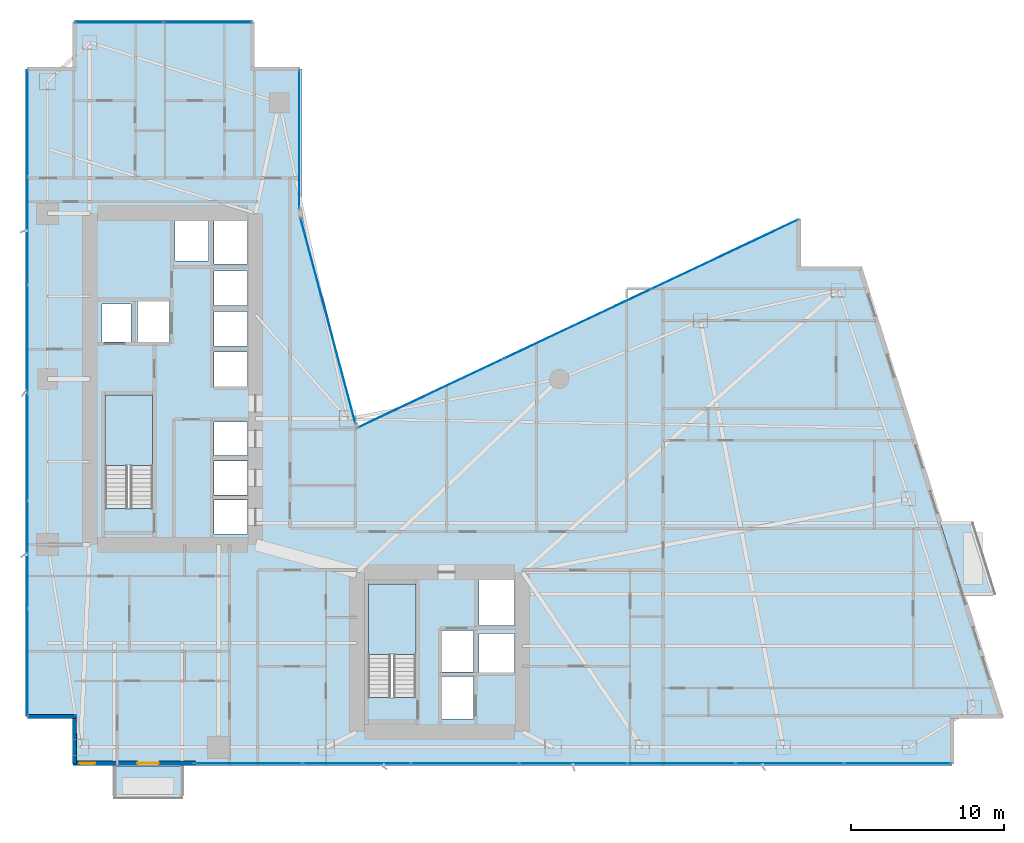
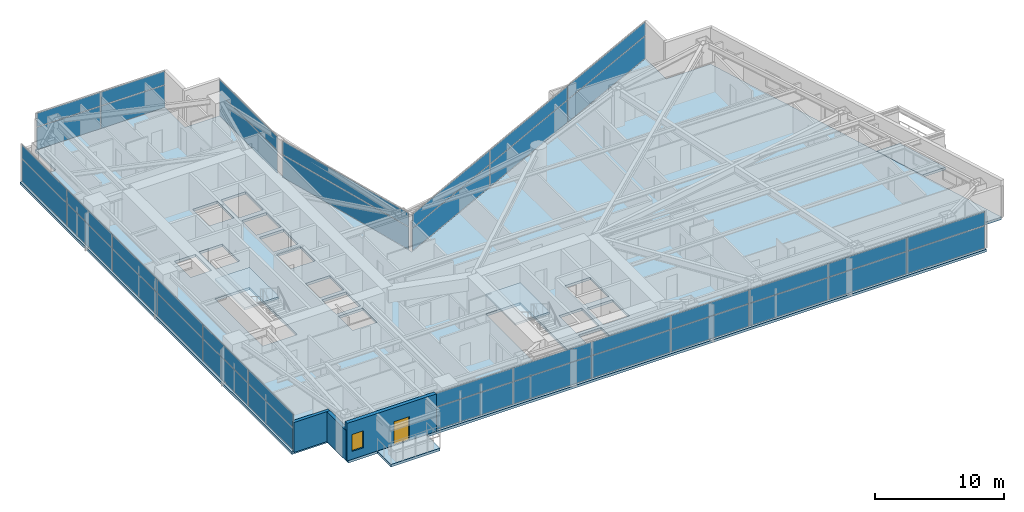
# One storey, part 21 of 29: 40 plates, 5 slabs, 3 walls, 1 door, 1 window, 2 openings, 8 elements without a shape of their own.
"""IFC4 building model written with IfcOpenShell, lengths in metres."""

from ifc_helpers import new_model, si_unit, direction, frame, frame_2d, origin, origin_2d, place, context, subcontext, project, spatial, polyline, rectangle, outline, extrude, material, layer, layer_set, type_object, element, fill, aggregate, save


model = new_model("IFC4")

# Units and contexts
model_context = context("Model", 3, precision=1e-05, world=origin(), true_north=direction((0.0, 1.0)))
body_context = subcontext(model_context, "Body", "Model", "MODEL_VIEW")
ifc_project = project(units=[si_unit("LENGTHUNIT", "METRE"), si_unit("AREAUNIT", "SQUARE_METRE"), si_unit("VOLUMEUNIT", "CUBIC_METRE"), si_unit("PLANEANGLEUNIT", "RADIAN"), si_unit("MASSUNIT", "GRAM", prefix="KILO")], contexts=[model_context])

# Site, building, storey
site_placement = place(None, origin())
site = spatial("IfcSite", under=ifc_project, at=site_placement, CompositionType="ELEMENT")
building_placement = place(site_placement, origin())
building = spatial("IfcBuilding", under=site, at=building_placement, Name="Calvorn Quay Hotel", CompositionType="ELEMENT")
storey_placement = place(building_placement, frame((0.0, 0.0, 58.39990234375)))
storey = spatial("IfcBuildingStorey", under=building, at=storey_placement, Name="L13", CompositionType="ELEMENT", Elevation=58.39990234375)

# Curtain wall, plates
ifc_material_1 = material(Name="Pale Anodised Aluminium and Low-E Glass", Category="aluminium")
ifc_layer_1 = layer(ifc_material_1, 0.219970703125)
ifc_layer_set_1 = layer_set([ifc_layer_1], Name="CW-SYS-Z1")
curtain_wall_type = type_object("IfcCurtainWallType", Name="CW-SYS-Z1", PredefinedType="NOTDEFINED", material=ifc_layer_set_1)
curtain_wall_1_placement = place(storey_placement, origin())
curtain_wall_1 = element("IfcCurtainWall", 1, at=curtain_wall_1_placement, inside=storey, type_object=curtain_wall_type, Name="Tower West Curtain Wall (L13)", PredefinedType="NOTDEFINED")
ifc_material_2 = material(Name="Low-E Laminated Double Glazing", Category="glass")
ifc_layer_2 = layer(ifc_material_2, 0.028076171875)
ifc_layer_set_2 = layer_set([ifc_layer_2], Name="CW-SYS-Z1-PAN")
plate_type = type_object("IfcPlateType", Name="CW-SYS-Z1-PAN", PredefinedType="CURTAIN_PANEL", material=ifc_layer_set_2)
plate_1_placement = place(storey_placement, frame((0.14990234375, 9.131591796875, 0.06005859375), z_axis=(0.0, 0.0, 1.0), x_axis=(0.0, 1.0, 0.0)))
plate_1 = element("IfcPlate", 2, at=plate_1_placement, type_object=plate_type, Name="CW-L13-W panel 1.1", PredefinedType="CURTAIN_PANEL", context=body_context, shape_type="SweptSolid", body=[
    extrude(rectangle(XDim=6.943359375, YDim=0.028076171875, at=origin_2d()), origin(), (0.0, 0.0, 1.0), 2.110107421875),
])
plate_2_placement = place(storey_placement, frame((0.14990234375, 9.131591796875, 2.22998046875), z_axis=(0.0, 0.0, 1.0), x_axis=(0.0, 1.0, 0.0)))
plate_2 = element("IfcPlate", 3, at=plate_2_placement, type_object=plate_type, Name="CW-L13-W panel 1.2", PredefinedType="CURTAIN_PANEL", context=body_context, shape_type="SweptSolid", body=[
    extrude(rectangle(XDim=6.943359375, YDim=0.028076171875, at=origin_2d()), origin(), (0.0, 0.0, 1.0), 1.27001953125),
])
plate_3_placement = place(storey_placement, frame((0.14990234375, 16.14990234375, 0.06005859375), z_axis=(0.0, 0.0, 1.0), x_axis=(0.0, 1.0, 0.0)))
plate_3 = element("IfcPlate", 4, at=plate_3_placement, type_object=plate_type, Name="CW-L13-W panel 2.1", PredefinedType="CURTAIN_PANEL", context=body_context, shape_type="SweptSolid", body=[
    extrude(rectangle(XDim=6.973388671875, YDim=0.028076171875, at=origin_2d()), origin(), (0.0, 0.0, 1.0), 2.110107421875),
])
plate_4_placement = place(storey_placement, frame((0.14990234375, 16.14990234375, 2.22998046875), z_axis=(0.0, 0.0, 1.0), x_axis=(0.0, 1.0, 0.0)))
plate_4 = element("IfcPlate", 5, at=plate_4_placement, type_object=plate_type, Name="CW-L13-W panel 2.2", PredefinedType="CURTAIN_PANEL", context=body_context, shape_type="SweptSolid", body=[
    extrude(rectangle(XDim=6.973388671875, YDim=0.028076171875, at=origin_2d()), origin(), (0.0, 0.0, 1.0), 1.27001953125),
])
plate_5_placement = place(storey_placement, frame((0.14990234375, 23.183349609375, 0.06005859375), z_axis=(0.0, 0.0, 1.0), x_axis=(0.0, 1.0, 0.0)))
plate_5 = element("IfcPlate", 6, at=plate_5_placement, type_object=plate_type, Name="CW-L13-W panel 3.1", PredefinedType="CURTAIN_PANEL", context=body_context, shape_type="SweptSolid", body=[
    extrude(rectangle(XDim=6.973388671875, YDim=0.028076171875, at=origin_2d()), origin(), (0.0, 0.0, 1.0), 2.110107421875),
])
plate_6_placement = place(storey_placement, frame((0.14990234375, 23.183349609375, 2.22998046875), z_axis=(0.0, 0.0, 1.0), x_axis=(0.0, 1.0, 0.0)))
plate_6 = element("IfcPlate", 7, at=plate_6_placement, type_object=plate_type, Name="CW-L13-W panel 3.2", PredefinedType="CURTAIN_PANEL", context=body_context, shape_type="SweptSolid", body=[
    extrude(rectangle(XDim=6.973388671875, YDim=0.028076171875, at=origin_2d()), origin(), (0.0, 0.0, 1.0), 1.27001953125),
])
plate_7_placement = place(storey_placement, frame((0.14990234375, 30.216552734375, 0.06005859375), z_axis=(0.0, 0.0, 1.0), x_axis=(0.0, 1.0, 0.0)))
plate_7 = element("IfcPlate", 8, at=plate_7_placement, type_object=plate_type, Name="CW-L13-W panel 4.1", PredefinedType="CURTAIN_PANEL", context=body_context, shape_type="SweptSolid", body=[
    extrude(rectangle(XDim=6.973388671875, YDim=0.028076171875, at=origin_2d()), origin(), (0.0, 0.0, 1.0), 2.110107421875),
])
plate_8_placement = place(storey_placement, frame((0.14990234375, 30.216552734375, 2.22998046875), z_axis=(0.0, 0.0, 1.0), x_axis=(0.0, 1.0, 0.0)))
plate_8 = element("IfcPlate", 9, at=plate_8_placement, type_object=plate_type, Name="CW-L13-W panel 4.2", PredefinedType="CURTAIN_PANEL", context=body_context, shape_type="SweptSolid", body=[
    extrude(rectangle(XDim=6.973388671875, YDim=0.028076171875, at=origin_2d()), origin(), (0.0, 0.0, 1.0), 1.27001953125),
])
plate_9_placement = place(storey_placement, frame((0.14990234375, 37.25, 0.06005859375), z_axis=(0.0, 0.0, 1.0), x_axis=(0.0, 1.0, 0.0)))
plate_9 = element("IfcPlate", 10, at=plate_9_placement, type_object=plate_type, Name="CW-L13-W panel 5.1", PredefinedType="CURTAIN_PANEL", context=body_context, shape_type="SweptSolid", body=[
    extrude(rectangle(XDim=6.973388671875, YDim=0.028076171875, at=origin_2d()), origin(), (0.0, 0.0, 1.0), 2.110107421875),
])
plate_10_placement = place(storey_placement, frame((0.14990234375, 37.25, 2.22998046875), z_axis=(0.0, 0.0, 1.0), x_axis=(0.0, 1.0, 0.0)))
plate_10 = element("IfcPlate", 11, at=plate_10_placement, type_object=plate_type, Name="CW-L13-W panel 5.2", PredefinedType="CURTAIN_PANEL", context=body_context, shape_type="SweptSolid", body=[
    extrude(rectangle(XDim=6.973388671875, YDim=0.028076171875, at=origin_2d()), origin(), (0.0, 0.0, 1.0), 1.27001953125),
])
plate_11_placement = place(storey_placement, frame((0.14990234375, 44.268310546875, 0.06005859375), z_axis=(0.0, 0.0, 1.0), x_axis=(0.0, 1.0, 0.0)))
plate_11 = element("IfcPlate", 12, at=plate_11_placement, type_object=plate_type, Name="CW-L13-W panel 6.1", PredefinedType="CURTAIN_PANEL", context=body_context, shape_type="SweptSolid", body=[
    extrude(rectangle(XDim=6.943359375, YDim=0.028076171875, at=origin_2d()), origin(), (0.0, 0.0, 1.0), 2.110107421875),
])
plate_12_placement = place(storey_placement, frame((0.14990234375, 44.268310546875, 2.22998046875), z_axis=(0.0, 0.0, 1.0), x_axis=(0.0, 1.0, 0.0)))
plate_12 = element("IfcPlate", 13, at=plate_12_placement, type_object=plate_type, Name="CW-L13-W panel 6.2", PredefinedType="CURTAIN_PANEL", context=body_context, shape_type="SweptSolid", body=[
    extrude(rectangle(XDim=6.943359375, YDim=0.028076171875, at=origin_2d()), origin(), (0.0, 0.0, 1.0), 1.27001953125),
])
aggregate(curtain_wall_1, [plate_1, plate_2, plate_3, plate_4, plate_5, plate_6, plate_7, plate_8, plate_9, plate_10, plate_11, plate_12])

curtain_wall_2_placement = place(storey_placement, origin())
curtain_wall_2 = element("IfcCurtainWall", 14, at=curtain_wall_2_placement, inside=storey, type_object=curtain_wall_type, Name="Tower South Waterfront Curtain Wall (L13)", PredefinedType="NOTDEFINED")
plate_13_placement = place(storey_placement, frame((14.54345703125, 2.550048828125, 0.06005859375), z_axis=(0.0, 0.0, 1.0), x_axis=(1.0, 0.0, 0.0)))
plate_13 = element("IfcPlate", 15, at=plate_13_placement, type_object=plate_type, Name="CW-L13-S panel 1.1", PredefinedType="CURTAIN_PANEL", context=body_context, shape_type="SweptSolid", body=[
    extrude(rectangle(XDim=6.967041015625, YDim=0.028076171875, at=origin_2d()), origin(), (0.0, 0.0, 1.0), 2.110107421875),
])
plate_14_placement = place(storey_placement, frame((14.54345703125, 2.550048828125, 2.22998046875), z_axis=(0.0, 0.0, 1.0), x_axis=(1.0, 0.0, 0.0)))
plate_14 = element("IfcPlate", 16, at=plate_14_placement, type_object=plate_type, Name="CW-L13-S panel 1.2", PredefinedType="CURTAIN_PANEL", context=body_context, shape_type="SweptSolid", body=[
    extrude(rectangle(XDim=6.967041015625, YDim=0.028076171875, at=origin_2d()), origin(), (0.0, 0.0, 1.0), 1.27001953125),
])
plate_15_placement = place(storey_placement, frame((21.585693359375, 2.550048828125, 0.06005859375), z_axis=(0.0, 0.0, 1.0), x_axis=(1.0, 0.0, 0.0)))
plate_15 = element("IfcPlate", 17, at=plate_15_placement, type_object=plate_type, Name="CW-L13-S panel 2.1", PredefinedType="CURTAIN_PANEL", context=body_context, shape_type="SweptSolid", body=[
    extrude(rectangle(XDim=6.9970703125, YDim=0.028076171875, at=origin_2d()), origin(), (0.0, 0.0, 1.0), 2.110107421875),
])
plate_16_placement = place(storey_placement, frame((21.585693359375, 2.550048828125, 2.22998046875), z_axis=(0.0, 0.0, 1.0), x_axis=(1.0, 0.0, 0.0)))
plate_16 = element("IfcPlate", 18, at=plate_16_placement, type_object=plate_type, Name="CW-L13-S panel 2.2", PredefinedType="CURTAIN_PANEL", context=body_context, shape_type="SweptSolid", body=[
    extrude(rectangle(XDim=6.9970703125, YDim=0.028076171875, at=origin_2d()), origin(), (0.0, 0.0, 1.0), 1.27001953125),
])
plate_17_placement = place(storey_placement, frame((28.642822265625, 2.550048828125, 0.06005859375), z_axis=(0.0, 0.0, 1.0), x_axis=(1.0, 0.0, 0.0)))
plate_17 = element("IfcPlate", 19, at=plate_17_placement, type_object=plate_type, Name="CW-L13-S panel 3.1", PredefinedType="CURTAIN_PANEL", context=body_context, shape_type="SweptSolid", body=[
    extrude(rectangle(XDim=6.9970703125, YDim=0.028076171875, at=origin_2d()), origin(), (0.0, 0.0, 1.0), 2.110107421875),
])
plate_18_placement = place(storey_placement, frame((28.642822265625, 2.550048828125, 2.22998046875), z_axis=(0.0, 0.0, 1.0), x_axis=(1.0, 0.0, 0.0)))
plate_18 = element("IfcPlate", 20, at=plate_18_placement, type_object=plate_type, Name="CW-L13-S panel 3.2", PredefinedType="CURTAIN_PANEL", context=body_context, shape_type="SweptSolid", body=[
    extrude(rectangle(XDim=6.9970703125, YDim=0.028076171875, at=origin_2d()), origin(), (0.0, 0.0, 1.0), 1.27001953125),
])
plate_19_placement = place(storey_placement, frame((35.699951171875, 2.550048828125, 0.06005859375), z_axis=(0.0, 0.0, 1.0), x_axis=(1.0, 0.0, 0.0)))
plate_19 = element("IfcPlate", 21, at=plate_19_placement, type_object=plate_type, Name="CW-L13-S panel 4.1", PredefinedType="CURTAIN_PANEL", context=body_context, shape_type="SweptSolid", body=[
    extrude(rectangle(XDim=6.9970703125, YDim=0.028076171875, at=origin_2d()), origin(), (0.0, 0.0, 1.0), 2.110107421875),
])
plate_20_placement = place(storey_placement, frame((35.699951171875, 2.550048828125, 2.22998046875), z_axis=(0.0, 0.0, 1.0), x_axis=(1.0, 0.0, 0.0)))
plate_20 = element("IfcPlate", 22, at=plate_20_placement, type_object=plate_type, Name="CW-L13-S panel 4.2", PredefinedType="CURTAIN_PANEL", context=body_context, shape_type="SweptSolid", body=[
    extrude(rectangle(XDim=6.9970703125, YDim=0.028076171875, at=origin_2d()), origin(), (0.0, 0.0, 1.0), 1.27001953125),
])
plate_21_placement = place(storey_placement, frame((42.757080078125, 2.550048828125, 0.06005859375), z_axis=(0.0, 0.0, 1.0), x_axis=(1.0, 0.0, 0.0)))
plate_21 = element("IfcPlate", 23, at=plate_21_placement, type_object=plate_type, Name="CW-L13-S panel 5.1", PredefinedType="CURTAIN_PANEL", context=body_context, shape_type="SweptSolid", body=[
    extrude(rectangle(XDim=6.9970703125, YDim=0.028076171875, at=origin_2d()), origin(), (0.0, 0.0, 1.0), 2.110107421875),
])
plate_22_placement = place(storey_placement, frame((42.757080078125, 2.550048828125, 2.22998046875), z_axis=(0.0, 0.0, 1.0), x_axis=(1.0, 0.0, 0.0)))
plate_22 = element("IfcPlate", 24, at=plate_22_placement, type_object=plate_type, Name="CW-L13-S panel 5.2", PredefinedType="CURTAIN_PANEL", context=body_context, shape_type="SweptSolid", body=[
    extrude(rectangle(XDim=6.9970703125, YDim=0.028076171875, at=origin_2d()), origin(), (0.0, 0.0, 1.0), 1.27001953125),
])
plate_23_placement = place(storey_placement, frame((49.814208984375, 2.550048828125, 0.06005859375), z_axis=(0.0, 0.0, 1.0), x_axis=(1.0, 0.0, 0.0)))
plate_23 = element("IfcPlate", 25, at=plate_23_placement, type_object=plate_type, Name="CW-L13-S panel 6.1", PredefinedType="CURTAIN_PANEL", context=body_context, shape_type="SweptSolid", body=[
    extrude(rectangle(XDim=6.9970703125, YDim=0.028076171875, at=origin_2d()), origin(), (0.0, 0.0, 1.0), 2.110107421875),
])
plate_24_placement = place(storey_placement, frame((49.814208984375, 2.550048828125, 2.22998046875), z_axis=(0.0, 0.0, 1.0), x_axis=(1.0, 0.0, 0.0)))
plate_24 = element("IfcPlate", 26, at=plate_24_placement, type_object=plate_type, Name="CW-L13-S panel 6.2", PredefinedType="CURTAIN_PANEL", context=body_context, shape_type="SweptSolid", body=[
    extrude(rectangle(XDim=6.9970703125, YDim=0.028076171875, at=origin_2d()), origin(), (0.0, 0.0, 1.0), 1.27001953125),
])
plate_25_placement = place(storey_placement, frame((56.8564453125, 2.550048828125, 0.06005859375), z_axis=(0.0, 0.0, 1.0), x_axis=(1.0, 0.0, 0.0)))
plate_25 = element("IfcPlate", 27, at=plate_25_placement, type_object=plate_type, Name="CW-L13-S panel 7.1", PredefinedType="CURTAIN_PANEL", context=body_context, shape_type="SweptSolid", body=[
    extrude(rectangle(XDim=6.967041015625, YDim=0.028076171875, at=origin_2d()), origin(), (0.0, 0.0, 1.0), 2.110107421875),
])
plate_26_placement = place(storey_placement, frame((56.8564453125, 2.550048828125, 2.22998046875), z_axis=(0.0, 0.0, 1.0), x_axis=(1.0, 0.0, 0.0)))
plate_26 = element("IfcPlate", 28, at=plate_26_placement, type_object=plate_type, Name="CW-L13-S panel 7.2", PredefinedType="CURTAIN_PANEL", context=body_context, shape_type="SweptSolid", body=[
    extrude(rectangle(XDim=6.967041015625, YDim=0.028076171875, at=origin_2d()), origin(), (0.0, 0.0, 1.0), 1.27001953125),
])
aggregate(curtain_wall_2, [plate_13, plate_14, plate_15, plate_16, plate_17, plate_18, plate_19, plate_20, plate_21, plate_22, plate_23, plate_24, plate_25, plate_26])

curtain_wall_3_placement = place(storey_placement, origin())
curtain_wall_3 = element("IfcCurtainWall", 29, at=curtain_wall_3_placement, inside=storey, type_object=curtain_wall_type, Name="Inner Court Curtain Wall L13-NE1", PredefinedType="NOTDEFINED")
plate_27_placement = place(storey_placement, frame((45.58642578125, 35.726806640625, 0.06005859375), z_axis=(0.0, 0.0, 1.0), x_axis=(-0.904248646743, -0.427006305415, 0.0)))
plate_27 = element("IfcPlate", 30, at=plate_27_placement, type_object=plate_type, Name="CW-L13-NE1 panel 1.1", PredefinedType="CURTAIN_PANEL", context=body_context, shape_type="SweptSolid", body=[
    extrude(rectangle(XDim=10.526611328125, YDim=0.028076171875, at=origin_2d()), origin(), (0.0, 0.0, 1.0), 2.110107421875),
])
plate_28_placement = place(storey_placement, frame((45.58642578125, 35.726806640625, 2.22998046875), z_axis=(0.0, 0.0, 1.0), x_axis=(-0.904248646743, -0.427006305415, 0.0)))
plate_28 = element("IfcPlate", 31, at=plate_28_placement, type_object=plate_type, Name="CW-L13-NE1 panel 1.2", PredefinedType="CURTAIN_PANEL", context=body_context, shape_type="SweptSolid", body=[
    extrude(rectangle(XDim=10.526611328125, YDim=0.028076171875, at=origin_2d()), origin(), (0.0, 0.0, 1.0), 1.27001953125),
])
plate_29_placement = place(storey_placement, frame((36.0, 31.199951171875, 0.06005859375), z_axis=(0.0, 0.0, 1.0), x_axis=(-0.904248646743, -0.427006305415, 0.0)))
plate_29 = element("IfcPlate", 32, at=plate_29_placement, type_object=plate_type, Name="CW-L13-NE1 panel 2.1", PredefinedType="CURTAIN_PANEL", context=body_context, shape_type="SweptSolid", body=[
    extrude(rectangle(XDim=10.556640625, YDim=0.028076171875, at=origin_2d()), origin(), (0.0, 0.0, 1.0), 2.110107421875),
])
plate_30_placement = place(storey_placement, frame((36.0, 31.199951171875, 2.22998046875), z_axis=(0.0, 0.0, 1.0), x_axis=(-0.904248646743, -0.427006305415, 0.0)))
plate_30 = element("IfcPlate", 33, at=plate_30_placement, type_object=plate_type, Name="CW-L13-NE1 panel 2.2", PredefinedType="CURTAIN_PANEL", context=body_context, shape_type="SweptSolid", body=[
    extrude(rectangle(XDim=10.556640625, YDim=0.028076171875, at=origin_2d()), origin(), (0.0, 0.0, 1.0), 1.27001953125),
])
plate_31_placement = place(storey_placement, frame((26.41357421875, 26.673095703125, 0.06005859375), z_axis=(0.0, 0.0, 1.0), x_axis=(-0.904248646743, -0.427006305415, 0.0)))
plate_31 = element("IfcPlate", 34, at=plate_31_placement, type_object=plate_type, Name="CW-L13-NE1 panel 3.1", PredefinedType="CURTAIN_PANEL", context=body_context, shape_type="SweptSolid", body=[
    extrude(rectangle(XDim=10.526611328125, YDim=0.028076171875, at=origin_2d()), origin(), (0.0, 0.0, 1.0), 2.110107421875),
])
plate_32_placement = place(storey_placement, frame((26.41357421875, 26.673095703125, 2.22998046875), z_axis=(0.0, 0.0, 1.0), x_axis=(-0.904248646743, -0.427006305415, 0.0)))
plate_32 = element("IfcPlate", 35, at=plate_32_placement, type_object=plate_type, Name="CW-L13-NE1 panel 3.2", PredefinedType="CURTAIN_PANEL", context=body_context, shape_type="SweptSolid", body=[
    extrude(rectangle(XDim=10.526611328125, YDim=0.028076171875, at=origin_2d()), origin(), (0.0, 0.0, 1.0), 1.27001953125),
])
aggregate(curtain_wall_3, [plate_27, plate_28, plate_29, plate_30, plate_31, plate_32])

curtain_wall_4_placement = place(storey_placement, origin())
curtain_wall_4 = element("IfcCurtainWall", 36, at=curtain_wall_4_placement, inside=storey, type_object=curtain_wall_type, Name="Inner Court Curtain Wall L13-IC1", PredefinedType="NOTDEFINED")
plate_33_placement = place(storey_placement, frame((19.72509765625, 31.39990234375, 0.06005859375), z_axis=(0.0, 0.0, 1.0), x_axis=(-0.25877913024, 0.96593652056, 0.0)))
plate_33 = element("IfcPlate", 37, at=plate_33_placement, type_object=plate_type, Name="CW-L13-IC1 panel 1.1", PredefinedType="CURTAIN_PANEL", context=body_context, shape_type="SweptSolid", body=[
    extrude(rectangle(XDim=13.814697265625, YDim=0.028076171875, at=origin_2d()), origin(), (0.0, 0.0, 1.0), 2.110107421875),
])
plate_34_placement = place(storey_placement, frame((19.72509765625, 31.39990234375, 2.22998046875), z_axis=(0.0, 0.0, 1.0), x_axis=(-0.25877913024, 0.96593652056, 0.0)))
plate_34 = element("IfcPlate", 38, at=plate_34_placement, type_object=plate_type, Name="CW-L13-IC1 panel 1.2", PredefinedType="CURTAIN_PANEL", context=body_context, shape_type="SweptSolid", body=[
    extrude(rectangle(XDim=13.814697265625, YDim=0.028076171875, at=origin_2d()), origin(), (0.0, 0.0, 1.0), 1.27001953125),
])
aggregate(curtain_wall_4, [plate_33, plate_34])

curtain_wall_5_placement = place(storey_placement, origin())
curtain_wall_5 = element("IfcCurtainWall", 39, at=curtain_wall_5_placement, inside=storey, type_object=curtain_wall_type, Name="Inner Court Curtain Wall L13-IC2", PredefinedType="NOTDEFINED")
plate_35_placement = place(storey_placement, frame((17.85009765625, 43.239990234375, 0.06005859375), z_axis=(0.0, 0.0, 1.0), x_axis=(0.0, 1.0, 0.0)))
plate_35 = element("IfcPlate", 40, at=plate_35_placement, type_object=plate_type, Name="CW-L13-IC2 panel 1.1", PredefinedType="CURTAIN_PANEL", context=body_context, shape_type="SweptSolid", body=[
    extrude(rectangle(XDim=9.0, YDim=0.028076171875, at=origin_2d()), origin(), (0.0, 0.0, 1.0), 2.110107421875),
])
plate_36_placement = place(storey_placement, frame((17.85009765625, 43.239990234375, 2.22998046875), z_axis=(0.0, 0.0, 1.0), x_axis=(0.0, 1.0, 0.0)))
plate_36 = element("IfcPlate", 41, at=plate_36_placement, type_object=plate_type, Name="CW-L13-IC2 panel 1.2", PredefinedType="CURTAIN_PANEL", context=body_context, shape_type="SweptSolid", body=[
    extrude(rectangle(XDim=9.0, YDim=0.028076171875, at=origin_2d()), origin(), (0.0, 0.0, 1.0), 1.27001953125),
])
aggregate(curtain_wall_5, [plate_35, plate_36])

curtain_wall_6_placement = place(storey_placement, origin())
curtain_wall_6 = element("IfcCurtainWall", 42, at=curtain_wall_6_placement, inside=storey, type_object=curtain_wall_type, Name="Inner Court Curtain Wall L13-N1", PredefinedType="NOTDEFINED")
plate_37_placement = place(storey_placement, frame((11.885009765625, 50.85009765625, 0.06005859375), z_axis=(0.0, 0.0, 1.0), x_axis=(-1.0, 0.0, 0.0)))
plate_37 = element("IfcPlate", 43, at=plate_37_placement, type_object=plate_type, Name="CW-L13-N1 panel 1.1", PredefinedType="CURTAIN_PANEL", context=body_context, shape_type="SweptSolid", body=[
    extrude(rectangle(XDim=5.7099609375, YDim=0.028076171875, at=origin_2d()), origin(), (0.0, 0.0, 1.0), 2.110107421875),
])
plate_38_placement = place(storey_placement, frame((11.885009765625, 50.85009765625, 2.22998046875), z_axis=(0.0, 0.0, 1.0), x_axis=(-1.0, 0.0, 0.0)))
plate_38 = element("IfcPlate", 44, at=plate_38_placement, type_object=plate_type, Name="CW-L13-N1 panel 1.2", PredefinedType="CURTAIN_PANEL", context=body_context, shape_type="SweptSolid", body=[
    extrude(rectangle(XDim=5.7099609375, YDim=0.028076171875, at=origin_2d()), origin(), (0.0, 0.0, 1.0), 1.27001953125),
])
plate_39_placement = place(storey_placement, frame((6.114990234375, 50.85009765625, 0.06005859375), z_axis=(0.0, 0.0, 1.0), x_axis=(-1.0, 0.0, 0.0)))
plate_39 = element("IfcPlate", 45, at=plate_39_placement, type_object=plate_type, Name="CW-L13-N1 panel 2.1", PredefinedType="CURTAIN_PANEL", context=body_context, shape_type="SweptSolid", body=[
    extrude(rectangle(XDim=5.7099609375, YDim=0.028076171875, at=origin_2d()), origin(), (0.0, 0.0, 1.0), 2.110107421875),
])
plate_40_placement = place(storey_placement, frame((6.114990234375, 50.85009765625, 2.22998046875), z_axis=(0.0, 0.0, 1.0), x_axis=(-1.0, 0.0, 0.0)))
plate_40 = element("IfcPlate", 46, at=plate_40_placement, type_object=plate_type, Name="CW-L13-N1 panel 2.2", PredefinedType="CURTAIN_PANEL", context=body_context, shape_type="SweptSolid", body=[
    extrude(rectangle(XDim=5.7099609375, YDim=0.028076171875, at=origin_2d()), origin(), (0.0, 0.0, 1.0), 1.27001953125),
])
aggregate(curtain_wall_6, [plate_37, plate_38, plate_39, plate_40])

# Slabs
ifc_material_3 = material(Name="Concrete C40", Category="concrete")
ifc_layer_3 = layer(ifc_material_3, 0.239990234375)
ifc_layer_set_3 = layer_set([ifc_layer_3], Name="SLB-BALCONY-220")
slab_type_1 = type_object("IfcSlabType", Name="SLB-BALCONY-220", PredefinedType="FLOOR", material=ifc_layer_set_3)
slab_1_placement = place(storey_placement, frame((0.0, 0.0, -0.239990234375)))
element("IfcSlab", 47, at=slab_1_placement, inside=storey, type_object=slab_type_1, Name="Tree Balcony Slab L13-BALC-E", PredefinedType="FLOOR", context=body_context, shape_type="SweptSolid", body=[
    extrude(outline(polyline([(61.089111328125, 13.60009765625), (63.18896484375, 13.60009765625), (61.739990234375, 18.199951171875), (59.639892578125, 18.199951171875), (61.089111328125, 13.60009765625)])), origin(), (0.0, 0.0, 1.0), 0.239990234375),
])
slab_2_placement = place(storey_placement, frame((0.0, 0.0, -0.239990234375)))
element("IfcSlab", 48, at=slab_2_placement, inside=storey, type_object=slab_type_1, Name="Tree Balcony Slab L13-BALC-S", PredefinedType="FLOOR", context=body_context, shape_type="SweptSolid", body=[
    extrude(outline(polyline([(5.800048828125, 0.2900390625), (10.199951171875, 0.2900390625), (10.199951171875, 2.389892578125), (5.800048828125, 2.389892578125), (5.800048828125, 0.2900390625)])), origin(), (0.0, 0.0, 1.0), 0.239990234375),
])

# Stair, slab
ifc_material_4 = material(Name="Concrete C40", Category="concrete")
stair_type = type_object("IfcStairType", Name="STR-CORE-DOGLEG", PredefinedType="HALF_TURN_STAIR", material=ifc_material_4)
stair_1_placement = place(storey_placement, origin())
stair_1 = element("IfcStair", 49, at=stair_1_placement, inside=storey, type_object=stair_type, Name="L13 ST-W", PredefinedType="HALF_TURN_STAIR")
ifc_material_5 = material(Name="Concrete C40", Category="concrete")
ifc_layer_4 = layer(ifc_material_5, 0.199951171875)
ifc_layer_set_4 = layer_set([ifc_layer_4], Name="SLB-STAIR-LANDING-200")
slab_type_2 = type_object("IfcSlabType", Name="SLB-STAIR-LANDING-200", PredefinedType="LANDING", material=ifc_layer_set_4)
slab_3_placement = place(storey_placement, frame((0.0, 0.0, 1.7001953125)))
slab_3 = element("IfcSlab", 50, at=slab_3_placement, type_object=slab_type_2, Name="ST-W landing 1", PredefinedType="LANDING", context=body_context, shape_type="SweptSolid", body=[
    extrude(outline(polyline([(8.300048828125, 21.949951171875), (8.300048828125, 26.550048828125), (5.199951171875, 26.550048828125), (5.199951171875, 21.949951171875), (8.300048828125, 21.949951171875)])), origin(), (0.0, 0.0, 1.0), 0.199951171875),
])
aggregate(stair_1, [slab_3])

stair_2_placement = place(storey_placement, origin())
stair_2 = element("IfcStair", 51, at=stair_2_placement, inside=storey, type_object=stair_type, Name="L13 ST-E", PredefinedType="HALF_TURN_STAIR")
slab_4_placement = place(storey_placement, frame((0.0, 0.0, 1.7001953125)))
slab_4 = element("IfcSlab", 52, at=slab_4_placement, type_object=slab_type_2, Name="ST-E landing 1", PredefinedType="LANDING", context=body_context, shape_type="SweptSolid", body=[
    extrude(outline(polyline([(25.449951171875, 9.64990234375), (25.449951171875, 14.25), (22.35009765625, 14.25), (22.35009765625, 9.64990234375), (25.449951171875, 9.64990234375)])), origin(), (0.0, 0.0, 1.0), 0.199951171875),
])
aggregate(stair_2, [slab_4])

# Slab
ifc_material_6 = material(Name="Concrete C40", Category="concrete")
ifc_layer_5 = layer(ifc_material_6, 0.239990234375)
ifc_layer_set_5 = layer_set([ifc_layer_5], Name="SLB-TOWER-240")
slab_type_3 = type_object("IfcSlabType", Name="SLB-TOWER-240", PredefinedType="FLOOR", material=ifc_layer_set_5)
slab_5_placement = place(storey_placement, frame((0.0, 0.0, -0.239990234375)))
element("IfcSlab", 53, at=slab_5_placement, inside=storey, type_object=slab_type_3, Name="L13 Structural Floor Slab", PredefinedType="FLOOR", context=body_context, shape_type="SweptSolid", body=[
    extrude(outline(polyline([(0.0, 5.60009765625), (3.199951171875, 5.60009765625), (3.199951171875, 2.39990234375), (60.39990234375, 2.39990234375), (60.39990234375, 5.60009765625), (63.60009765625, 5.60009765625), (54.39990234375, 34.800048828125), (50.39990234375, 34.800048828125), (50.39990234375, 38.0), (21.60009765625, 24.39990234375), (18.0, 38.39990234375), (18.0, 47.800048828125), (14.800048828125, 47.800048828125), (14.800048828125, 51.0), (3.199951171875, 51.0), (3.199951171875, 47.800048828125), (0.0, 47.800048828125), (0.0, 5.60009765625)]), holes=[polyline([(5.199951171875, 19.156005859375), (8.300048828125, 19.156005859375), (8.300048828125, 26.550048828125), (5.199951171875, 26.550048828125), (5.199951171875, 19.156005859375)]), polyline([(22.35009765625, 6.85595703125), (25.449951171875, 6.85595703125), (25.449951171875, 14.25), (22.35009765625, 14.25), (22.35009765625, 6.85595703125)]), polyline([(5.0, 30.0), (6.89990234375, 30.0), (6.89990234375, 32.5), (5.0, 32.5), (5.0, 30.0)]), polyline([(7.300048828125, 30.0), (9.39990234375, 30.0), (9.39990234375, 32.64990234375), (7.300048828125, 32.64990234375), (7.300048828125, 30.0)]), polyline([(27.159912109375, 8.5), (29.2099609375, 8.5), (29.2099609375, 11.199951171875), (27.159912109375, 11.199951171875), (27.159912109375, 8.5)]), polyline([(27.159912109375, 5.449951171875), (29.2099609375, 5.449951171875), (29.2099609375, 8.199951171875), (27.159912109375, 8.199951171875), (27.159912109375, 5.449951171875)]), polyline([(12.300048828125, 17.5), (14.489990234375, 17.5), (14.489990234375, 19.699951171875), (12.300048828125, 19.699951171875), (12.300048828125, 17.5)]), polyline([(12.300048828125, 20.050048828125), (14.489990234375, 20.050048828125), (14.489990234375, 22.25), (12.300048828125, 22.25), (12.300048828125, 20.050048828125)]), polyline([(12.300048828125, 22.60009765625), (14.489990234375, 22.60009765625), (14.489990234375, 24.800048828125), (12.300048828125, 24.800048828125), (12.300048828125, 22.60009765625)]), polyline([(12.300048828125, 27.10009765625), (14.489990234375, 27.10009765625), (14.489990234375, 29.35009765625), (12.300048828125, 29.35009765625), (12.300048828125, 27.10009765625)]), polyline([(12.300048828125, 29.75), (14.489990234375, 29.75), (14.489990234375, 32.0), (12.300048828125, 32.0), (12.300048828125, 29.75)]), polyline([(12.300048828125, 32.39990234375), (14.489990234375, 32.39990234375), (14.489990234375, 34.64990234375), (12.300048828125, 34.64990234375), (12.300048828125, 32.39990234375)]), polyline([(12.300048828125, 35.10009765625), (14.489990234375, 35.10009765625), (14.489990234375, 37.889892578125), (12.300048828125, 37.889892578125), (12.300048828125, 35.10009765625)]), polyline([(9.75, 35.300048828125), (11.949951171875, 35.300048828125), (11.949951171875, 37.889892578125), (9.75, 37.889892578125), (9.75, 35.300048828125)]), polyline([(29.550048828125, 11.550048828125), (31.889892578125, 11.550048828125), (31.889892578125, 14.489990234375), (29.550048828125, 14.489990234375), (29.550048828125, 11.550048828125)]), polyline([(29.550048828125, 8.449951171875), (31.889892578125, 8.449951171875), (31.889892578125, 11.0), (29.550048828125, 11.0), (29.550048828125, 8.449951171875)])]), origin(), (0.0, 0.0, 1.0), 0.239990234375),
])

# Wall, openings, door, window
ifc_material_7 = material(Name="Concrete C40", Category="concrete")
ifc_layer_6 = layer(ifc_material_7, 0.320068359375)
ifc_layer_set_6 = layer_set([ifc_layer_6], Name="WL-EXT-SPANDREL-320")
wall_type = type_object("IfcWallType", Name="WL-EXT-SPANDREL-320", PredefinedType="SOLIDWALL", material=ifc_layer_set_6)
wall_1_placement = place(storey_placement, frame((3.10009765625, 2.56005859375, 0.0), z_axis=(0.0, 0.0, 1.0), x_axis=(1.0, 0.0, 0.0)))
wall_1 = element("IfcWall", 54, at=wall_1_placement, inside=storey, type_object=wall_type, Name="South Balcony Exterior Wall (L13)", PredefinedType="SOLIDWALL", context=body_context, shape_type="SweptSolid", body=[
    extrude(rectangle(XDim=8.0, YDim=0.320068359375, at=frame_2d((4.0, 0.0))), origin(), (0.0, 0.0, 1.0), 3.56005859375),
])
opening_1_placement = place(wall_1_placement, frame((0.449951171875, 0.0, 0.75)))
opening_1 = element("IfcOpeningElement", 55, at=opening_1_placement, cuts=wall_1, Name="Opening WSB-L13-1", PredefinedType="OPENING", context=body_context, shape_type="SweptSolid", body=[
    extrude(rectangle(XDim=1.0, YDim=1.60009765625, at=frame_2d((0.5, 0.800048828125))), frame((0.0, 0.169921875, 0.0), z_axis=(0.0, -1.0, 0.0), x_axis=(1.0, 0.0, 0.0)), (0.0, 0.0, 1.0), 0.340087890625),
])
opening_2_placement = place(wall_1_placement, frame((4.199951171875, 0.0, 0.0)))
opening_2 = element("IfcOpeningElement", 56, at=opening_2_placement, cuts=wall_1, Name="Opening DB-L13-2", PredefinedType="OPENING", context=body_context, shape_type="SweptSolid", body=[
    extrude(rectangle(XDim=1.39990234375, YDim=2.25, at=frame_2d((0.699951171875, 1.125))), frame((0.0, 0.169921875, 0.0), z_axis=(0.0, -1.0, 0.0), x_axis=(1.0, 0.0, 0.0)), (0.0, 0.0, 1.0), 0.340087890625),
])
ifc_material_8 = material(Name="Typhoon-Rated Low-E Aluminium Terrace Door", Category="aluminium")
door_type = type_object("IfcDoorType", Name="DR-BALCONY-GLZ-1400", OperationType="NOTDEFINED", PredefinedType="DOOR", material=ifc_material_8)
door_placement = place(opening_2_placement, origin())
door = element("IfcDoor", 57, at=door_placement, inside=storey, type_object=door_type, Name="Tree Balcony Terrace Door L13-BALC-S", OperationType="SINGLE_SWING_LEFT", OverallHeight=2.25, OverallWidth=1.39990234375, PredefinedType="DOOR", context=body_context, shape_type="SweptSolid", body=[
    extrude(rectangle(XDim=1.39990234375, YDim=2.25, at=frame_2d((0.699951171875, 1.125))), frame((0.0, 0.02490234375, 0.0), z_axis=(0.0, -1.0, 0.0), x_axis=(1.0, 0.0, 0.0)), (0.0, 0.0, 1.0), 0.050048828125),
])
fill(opening_2, door)
ifc_material_9 = material(Name="Self-Closing Class B Side Fire Window")
window_type = type_object("IfcWindowType", Name="WIN-REFUGE-NARROW-1000x1600", PartitioningType="SINGLE_PANEL", PredefinedType="WINDOW", material=ifc_material_9)
window_placement = place(opening_1_placement, origin())
window = element("IfcWindow", 58, at=window_placement, inside=storey, type_object=window_type, Name="South Waterfront Side Window (L13)", OverallHeight=1.60009765625, OverallWidth=1.0, PartitioningType="SINGLE_PANEL", PredefinedType="WINDOW", context=body_context, shape_type="SweptSolid", body=[
    extrude(rectangle(XDim=1.0, YDim=1.60009765625, at=frame_2d((0.5, 0.800048828125))), frame((0.0, 0.030029296875, 0.0), z_axis=(0.0, -1.0, 0.0), x_axis=(1.0, 0.0, 0.0)), (0.0, 0.0, 1.0), 0.06005859375),
])
fill(opening_1, window)

# Walls
wall_2_placement = place(storey_placement, frame((0.1201171875, 5.60009765625, 0.0), z_axis=(0.0, 0.0, 1.0), x_axis=(1.0, 0.0, 0.0)))
element("IfcWall", 59, at=wall_2_placement, inside=storey, type_object=wall_type, Name="Notched Corner Spandrel L13-SW1", PredefinedType="SOLIDWALL", context=body_context, shape_type="SweptSolid", body=[
    extrude(rectangle(XDim=3.219970703125, YDim=0.280029296875, at=frame_2d((1.60986328125, 0.0))), origin(), (0.0, 0.0, 1.0), 2.840087890625),
])
wall_3_placement = place(storey_placement, frame((3.199951171875, 5.4599609375, 0.0), z_axis=(0.0, 0.0, 1.0), x_axis=(0.0, -1.0, 0.0)))
element("IfcWall", 60, at=wall_3_placement, inside=storey, type_object=wall_type, Name="Notched Corner Spandrel L13-SW2", PredefinedType="SOLIDWALL", context=body_context, shape_type="SweptSolid", body=[
    extrude(rectangle(XDim=2.93994140625, YDim=0.280029296875, at=frame_2d((1.469970703125, 0.0))), origin(), (0.0, 0.0, 1.0), 2.840087890625),
])

save(model, "model.ifc")
